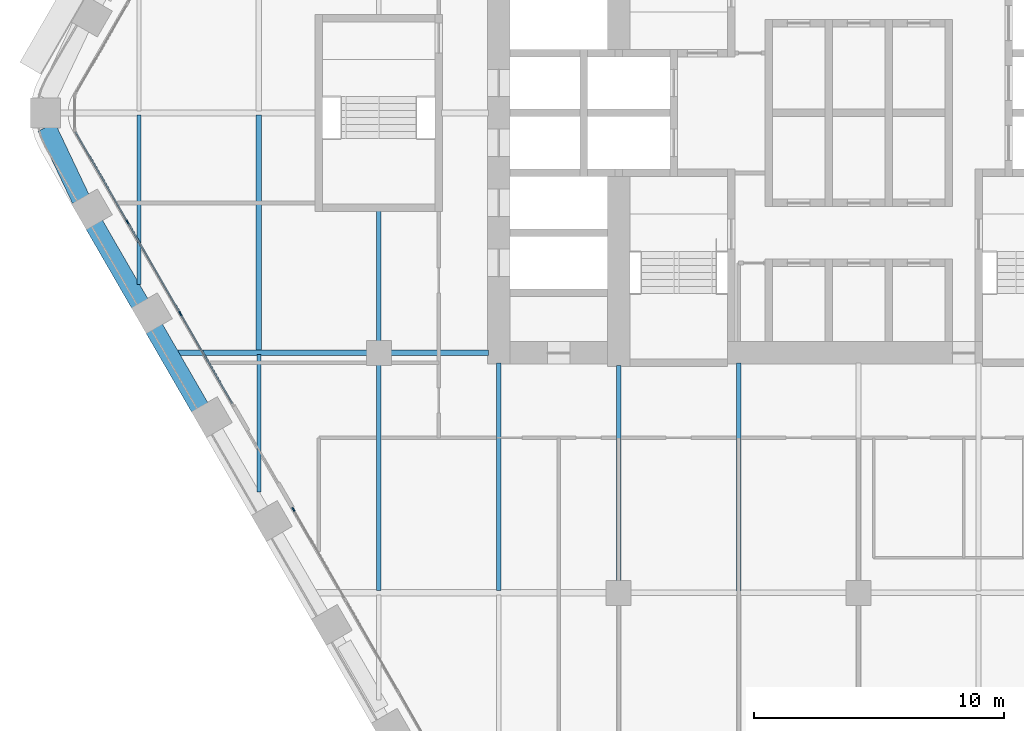
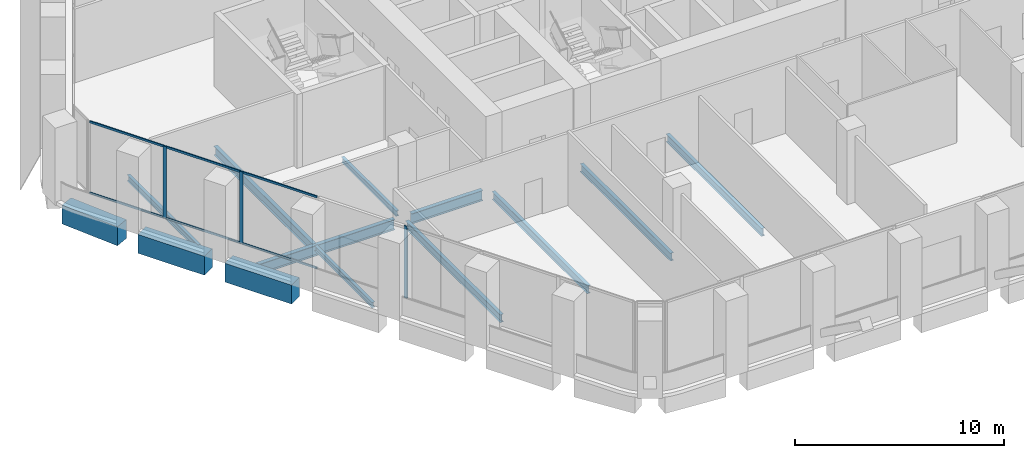
# One storey, part 3 of 24: 13 beams, 9 members, 2 elements without a shape of their own.
"""IFC4 building model written with IfcOpenShell, lengths in metres."""

from ifc_helpers import new_model, si_unit, direction, frame, origin, origin_2d, place, context, subcontext, project, spatial, rectangle, i_section, extrude, material, material_profile, profile_set, type_object, element, aggregate, save


model = new_model("IFC4")

# Units and contexts
model_context = context("Model", 3, precision=1e-05, world=origin(), true_north=direction((0.0, 1.0)))
body_context = subcontext(model_context, "Body", "Model", "MODEL_VIEW")
ifc_project = project(units=[si_unit("LENGTHUNIT", "METRE"), si_unit("AREAUNIT", "SQUARE_METRE"), si_unit("VOLUMEUNIT", "CUBIC_METRE"), si_unit("PLANEANGLEUNIT", "RADIAN"), si_unit("MASSUNIT", "GRAM", prefix="KILO")], contexts=[model_context])

# Site, building, storey
site_placement = place(None, origin())
site = spatial("IfcSite", under=ifc_project, at=site_placement, CompositionType="ELEMENT")
building_placement = place(site_placement, origin())
building = spatial("IfcBuilding", under=site, at=building_placement, Name="Kolab Exchange Tower", CompositionType="ELEMENT")
storey_placement = place(building_placement, frame((0.0, 0.0, 86.89990234375)))
storey = spatial("IfcBuildingStorey", under=building, at=storey_placement, Name="L16", CompositionType="ELEMENT", Elevation=86.89990234375)

# Beams
ifc_material_1 = material(Name="Steel S355", Category="steel")
ifc_material_profile_1 = material_profile(ifc_material_1, i_section(OverallWidth=0.1650390625, OverallDepth=0.31005859375, WebThickness=0.005859375, FlangeThickness=0.009765625, at=origin_2d()), Name="W310X39")
ifc_profile_set_1 = profile_set([ifc_material_profile_1], Name="Steel S355")
beam_type_1 = type_object("IfcBeamType", Name="FLOOR BEAM W310X39", PredefinedType="BEAM", material=ifc_profile_set_1)
beam_1_placement = place(storey_placement, frame((-24.0, -15.167724609375, -0.35498046875), z_axis=(0.0, 1.0, 0.0), x_axis=(-1.0, 0.0, 0.0)))
element("IfcBeam", 1, at=beam_1_placement, inside=storey, type_object=beam_type_1, Name="beam/L16/fr/002", PredefinedType="BEAM", context=body_context, shape_type="SweptSolid", body=[
    extrude(i_section(OverallWidth=0.1650390625, OverallDepth=0.31005859375, WebThickness=0.005859375, FlangeThickness=0.009765625, at=origin_2d()), origin(), (0.0, 0.0, 1.0), 5.49365234375),
])
beam_2_placement = place(storey_placement, frame((-19.199951171875, -9.139892578125, -0.35498046875), z_axis=(0.0, 1.0, 0.0), x_axis=(-1.0, 0.0, 0.0)))
element("IfcBeam", 2, at=beam_2_placement, inside=storey, type_object=beam_type_1, Name="beam/L16/fr/008", PredefinedType="BEAM", context=body_context, shape_type="SweptSolid", body=[
    extrude(i_section(OverallWidth=0.1650390625, OverallDepth=0.31005859375, WebThickness=0.005859375, FlangeThickness=0.009765625, at=origin_2d()), origin(), (0.0, 0.0, 1.0), 5.22998046875),
])
ifc_material_profile_2 = material_profile(ifc_material_1, i_section(OverallWidth=0.1708984375, OverallDepth=0.35498046875, WebThickness=0.007080078125, FlangeThickness=0.01171875, at=origin_2d()), Name="W360X51")
ifc_profile_set_2 = profile_set([ifc_material_profile_2], Name="Steel S355")
beam_type_2 = type_object("IfcBeamType", Name="FLOOR BEAM W360X51", PredefinedType="BEAM", material=ifc_profile_set_2)
beam_3_placement = place(storey_placement, frame((-28.800048828125, -6.853759765625, -0.37744140625), z_axis=(0.0, 1.0, 0.0), x_axis=(-1.0, 0.0, 0.0)))
element("IfcBeam", 3, at=beam_3_placement, inside=storey, type_object=beam_type_2, Name="beam/L16/fr/000", PredefinedType="BEAM", context=body_context, shape_type="SweptSolid", body=[
    extrude(i_section(OverallWidth=0.1708984375, OverallDepth=0.35498046875, WebThickness=0.007080078125, FlangeThickness=0.01171875, at=origin_2d()), origin(), (0.0, 0.0, 1.0), 6.766845703125),
])
ifc_material_profile_3 = material_profile(ifc_material_1, i_section(OverallWidth=0.18994140625, OverallDepth=0.45703125, WebThickness=0.009033203125, FlangeThickness=0.014404296875, at=origin_2d()), Name="W460X74")
ifc_profile_set_3 = profile_set([ifc_material_profile_3], Name="Steel S355")
beam_type_3 = type_object("IfcBeamType", Name="FLOOR BEAM W460X74", PredefinedType="BEAM", material=ifc_profile_set_3)
beam_4_placement = place(storey_placement, frame((-19.199951171875, -19.1064453125, -0.428466796875), z_axis=(0.0, 1.0, 0.0), x_axis=(-1.0, 0.0, 0.0)))
element("IfcBeam", 4, at=beam_4_placement, inside=storey, type_object=beam_type_3, Name="beam/L16/fr/007", PredefinedType="BEAM", context=body_context, shape_type="SweptSolid", body=[
    extrude(i_section(OverallWidth=0.18994140625, OverallDepth=0.45703125, WebThickness=0.009033203125, FlangeThickness=0.014404296875, at=origin_2d()), origin(), (0.0, 0.0, 1.0), 9.04638671875),
])
beam_5_placement = place(storey_placement, frame((-14.39990234375, -19.1064453125, -0.428466796875), z_axis=(0.0, 1.0, 0.0), x_axis=(-1.0, 0.0, 0.0)))
element("IfcBeam", 5, at=beam_5_placement, inside=storey, type_object=beam_type_3, Name="beam/L16/fr/013", PredefinedType="BEAM", context=body_context, shape_type="SweptSolid", body=[
    extrude(i_section(OverallWidth=0.18994140625, OverallDepth=0.45703125, WebThickness=0.009033203125, FlangeThickness=0.014404296875, at=origin_2d()), origin(), (0.0, 0.0, 1.0), 9.096435546875),
])
beam_6_placement = place(storey_placement, frame((-9.60009765625, -18.739990234375, -0.428466796875), z_axis=(0.0, 1.0, 0.0), x_axis=(-1.0, 0.0, 0.0)))
element("IfcBeam", 6, at=beam_6_placement, inside=storey, type_object=beam_type_3, Name="beam/L16/fr/017", PredefinedType="BEAM", context=body_context, shape_type="SweptSolid", body=[
    extrude(i_section(OverallWidth=0.18994140625, OverallDepth=0.45703125, WebThickness=0.009033203125, FlangeThickness=0.014404296875, at=origin_2d()), origin(), (0.0, 0.0, 1.0), 8.6298828125),
])
beam_7_placement = place(storey_placement, frame((-4.800048828125, -19.1259765625, -0.428466796875), z_axis=(0.0, 1.0, 0.0), x_axis=(-1.0, 0.0, 0.0)))
element("IfcBeam", 7, at=beam_7_placement, inside=storey, type_object=beam_type_3, Name="beam/L16/fr/021", PredefinedType="BEAM", context=body_context, shape_type="SweptSolid", body=[
    extrude(i_section(OverallWidth=0.18994140625, OverallDepth=0.45703125, WebThickness=0.009033203125, FlangeThickness=0.014404296875, at=origin_2d()), origin(), (0.0, 0.0, 1.0), 9.115966796875),
])
ifc_material_profile_4 = material_profile(ifc_material_1, i_section(OverallWidth=0.208984375, OverallDepth=0.532958984375, WebThickness=0.01025390625, FlangeThickness=0.015625, at=origin_2d()), Name="W530X92")
ifc_profile_set_4 = profile_set([ifc_material_profile_4], Name="Steel S355")
beam_type_4 = type_object("IfcBeamType", Name="FLOOR BEAM W530X92", PredefinedType="BEAM", material=ifc_profile_set_4)
beam_8_placement = place(storey_placement, frame((-24.0, -9.52587890625, -0.46630859375), z_axis=(0.0, 1.0, 0.0), x_axis=(-1.0, 0.0, 0.0)))
element("IfcBeam", 8, at=beam_8_placement, inside=storey, type_object=beam_type_4, Name="beam/L16/fr/003", PredefinedType="BEAM", context=body_context, shape_type="SweptSolid", body=[
    extrude(i_section(OverallWidth=0.208984375, OverallDepth=0.532958984375, WebThickness=0.01025390625, FlangeThickness=0.015625, at=origin_2d()), origin(), (0.0, 0.0, 1.0), 9.43896484375),
])
ifc_material_profile_5 = material_profile(ifc_material_1, i_section(OverallWidth=0.22802734375, OverallDepth=0.60791015625, WebThickness=0.01123046875, FlangeThickness=0.017333984375, at=origin_2d()), Name="W610X113")
ifc_profile_set_5 = profile_set([ifc_material_profile_5], Name="Steel S355")
beam_type_5 = type_object("IfcBeamType", Name="FLOOR GIRDER W610X113", PredefinedType="BEAM", material=ifc_profile_set_5)
beam_9_placement = place(storey_placement, frame((-27.2314453125, -9.60009765625, -0.50390625), z_axis=(1.0, 0.0, 0.0), x_axis=(0.0, 1.0, 0.0)))
element("IfcBeam", 9, at=beam_9_placement, inside=storey, type_object=beam_type_5, Name="beam/L16/gd/001", PredefinedType="BEAM", context=body_context, shape_type="SweptSolid", body=[
    extrude(i_section(OverallWidth=0.22802734375, OverallDepth=0.60791015625, WebThickness=0.01123046875, FlangeThickness=0.017333984375, at=origin_2d()), origin(), (0.0, 0.0, 1.0), 7.571533203125),
])
beam_10_placement = place(storey_placement, frame((-18.739990234375, -9.60009765625, -0.50390625), z_axis=(1.0, 0.0, 0.0), x_axis=(0.0, 1.0, 0.0)))
element("IfcBeam", 10, at=beam_10_placement, inside=storey, type_object=beam_type_5, Name="beam/L16/gd/005", PredefinedType="BEAM", context=body_context, shape_type="SweptSolid", body=[
    extrude(i_section(OverallWidth=0.22802734375, OverallDepth=0.60791015625, WebThickness=0.01123046875, FlangeThickness=0.017333984375, at=origin_2d()), origin(), (0.0, 0.0, 1.0), 3.929931640625),
])
ifc_material_2 = material(Name="Concrete C70/85", Category="concrete")
ifc_material_profile_6 = material_profile(ifc_material_2, rectangle(XDim=0.75, YDim=1.10009765625, at=origin_2d()), Name="RC750X1100")
ifc_profile_set_6 = profile_set([ifc_material_profile_6], Name="Concrete C70/85")
beam_type_6 = type_object("IfcBeamType", Name="SPANDREL BEAM 750X1100 C70/85", PredefinedType="BEAM", material=ifc_profile_set_6)
for number, where, z_axis, x_axis, name in (
    (11, (-26.355224609375, -11.79833984375, -0.75), (-0.500013413428, 0.866017659399, 0.0), (-0.866017659399, -0.500013413428, 0.0), "beam/L16/sp/F5-05"),
    (12, (-28.755126953125, -7.641357421875, -0.75), (-0.500013413428, 0.866017659399, 0.0), (-0.866017659399, -0.500013413428, 0.0), "beam/L16/sp/F5-06"),
):
    element("IfcBeam", number, at=place(storey_placement, frame(where, z_axis=z_axis, x_axis=x_axis)), inside=storey, type_object=beam_type_6, Name=name, PredefinedType="BEAM", context=body_context, shape_type="SweptSolid", body=[
        extrude(rectangle(XDim=0.75, YDim=1.10009765625, at=origin_2d()), origin(), (0.0, 0.0, 1.0), 3.68017578125),
    ])
beam_11_placement = place(storey_placement, frame((-31.116455078125, -3.4619140625, -0.75), z_axis=(-0.429041292193, 0.903284877319, 0.0), x_axis=(-0.903284877319, -0.429041292193, 0.0)))
element("IfcBeam", 13, at=beam_11_placement, inside=storey, type_object=beam_type_6, Name="beam/L16/sp/F5-07", PredefinedType="BEAM", context=body_context, shape_type="SweptSolid", body=[
    extrude(rectangle(XDim=0.75, YDim=1.10009765625, at=origin_2d()), origin(), (0.0, 0.0, 1.0), 3.208251953125),
])

# Curtain wall, member
ifc_material_3 = material(Name="Aluminium EN AW-6063 T6", Category="aluminium")
curtain_wall_type = type_object("IfcCurtainWallType", Name="UNITISED LOWER MID ZONE CURTAIN WALL", PredefinedType="NOTDEFINED", material=ifc_material_3)
curtain_wall_1_placement = place(storey_placement, origin())
curtain_wall_1 = element("IfcCurtainWall", 14, at=curtain_wall_1_placement, inside=storey, type_object=curtain_wall_type, Name="cw/L16/F5-1", PredefinedType="NOTDEFINED")
ifc_material_profile_7 = material_profile(ifc_material_3, rectangle(XDim=0.06005859375, YDim=0.179931640625, at=origin_2d()), Name="RECT 60X180")
ifc_profile_set_7 = profile_set([ifc_material_profile_7], Name="Aluminium EN AW-6063 T6")
member_type_1 = type_object("IfcMemberType", Name="UNITISED LOWER MID ZONE MULLION 60 X 180", PredefinedType="MULLION", material=ifc_profile_set_7)
member_1_placement = place(storey_placement, frame((-22.61669921875, -15.86376953125, 0.0), z_axis=(0.0, 0.0, 1.0), x_axis=(-0.866025393644, -0.500000017564, 0.0)))
member_1 = element("IfcMember", 15, at=member_1_placement, type_object=member_type_1, Name="CW2 mullion 4", PredefinedType="MULLION", context=body_context, shape_type="SweptSolid", body=[
    extrude(rectangle(XDim=0.06005859375, YDim=0.179931640625, at=origin_2d()), origin(), (0.0, 0.0, 1.0), 4.2001953125),
])
aggregate(curtain_wall_1, [member_1])

# Curtain wall, members
curtain_wall_2_placement = place(storey_placement, origin())
curtain_wall_2 = element("IfcCurtainWall", 16, at=curtain_wall_2_placement, inside=storey, type_object=curtain_wall_type, Name="cw/L16/F5-2", PredefinedType="NOTDEFINED")
member_2_placement = place(storey_placement, frame((-27.14306640625, -8.02392578125, 0.0), z_axis=(0.0, 0.0, 1.0), x_axis=(-0.866025427826, -0.499999958358, 0.0)))
member_2 = element("IfcMember", 17, at=member_2_placement, type_object=member_type_1, Name="CW2 mullion 2", PredefinedType="MULLION", context=body_context, shape_type="SweptSolid", body=[
    extrude(rectangle(XDim=0.06005859375, YDim=0.179931640625, at=origin_2d()), origin(), (0.0, 0.0, 1.0), 4.2001953125),
])
member_3_placement = place(storey_placement, frame((-29.25439453125, -4.366943359375, 0.0), z_axis=(0.0, 0.0, 1.0), x_axis=(-0.866025427826, -0.499999958358, 0.0)))
member_3 = element("IfcMember", 18, at=member_3_placement, type_object=member_type_1, Name="CW2 mullion 3", PredefinedType="MULLION", context=body_context, shape_type="SweptSolid", body=[
    extrude(rectangle(XDim=0.06005859375, YDim=0.179931640625, at=origin_2d()), origin(), (0.0, 0.0, 1.0), 4.2001953125),
])
ifc_material_profile_8 = material_profile(ifc_material_3, rectangle(XDim=0.06005859375, YDim=0.1201171875, at=origin_2d()), Name="RECT 60X120")
ifc_profile_set_8 = profile_set([ifc_material_profile_8], Name="Aluminium EN AW-6063 T6")
member_type_2 = type_object("IfcMemberType", Name="UNITISED LOWER MID ZONE TRANSOM 60 X 120", PredefinedType="USERDEFINED", material=ifc_profile_set_8)
member_4_placement = place(storey_placement, frame((-25.061767578125, -11.62890625, 0.030029296875), z_axis=(-0.499957688808, 0.866049830784, 0.0), x_axis=(-0.866049830784, -0.499957688808, 0.0)))
member_4 = element("IfcMember", 19, at=member_4_placement, type_object=member_type_2, Name="CW2 transom 1.1", ObjectType="TRANSOM", PredefinedType="USERDEFINED", context=body_context, shape_type="SweptSolid", body=[
    extrude(rectangle(XDim=0.06005859375, YDim=0.1201171875, at=origin_2d()), origin(), (0.0, 0.0, 1.0), 4.132568359375),
])
member_5_placement = place(storey_placement, frame((-25.061767578125, -11.62890625, 4.170166015625), z_axis=(-0.499957688808, 0.866049830784, 0.0), x_axis=(-0.866049830784, -0.499957688808, 0.0)))
member_5 = element("IfcMember", 20, at=member_5_placement, type_object=member_type_2, Name="CW2 transom 1.2", ObjectType="TRANSOM", PredefinedType="USERDEFINED", context=body_context, shape_type="SweptSolid", body=[
    extrude(rectangle(XDim=0.06005859375, YDim=0.1201171875, at=origin_2d()), origin(), (0.0, 0.0, 1.0), 4.132568359375),
])
member_6_placement = place(storey_placement, frame((-27.157958984375, -7.997802734375, 0.030029296875), z_axis=(-0.49999322259, 0.866029316688, 0.0), x_axis=(-0.866029316688, -0.49999322259, 0.0)))
member_6 = element("IfcMember", 21, at=member_6_placement, type_object=member_type_2, Name="CW2 transom 2.1", ObjectType="TRANSOM", PredefinedType="USERDEFINED", context=body_context, shape_type="SweptSolid", body=[
    extrude(rectangle(XDim=0.06005859375, YDim=0.1201171875, at=origin_2d()), origin(), (0.0, 0.0, 1.0), 4.16259765625),
])
member_7_placement = place(storey_placement, frame((-27.157958984375, -7.997802734375, 4.170166015625), z_axis=(-0.49999322259, 0.866029316688, 0.0), x_axis=(-0.866029316688, -0.49999322259, 0.0)))
member_7 = element("IfcMember", 22, at=member_7_placement, type_object=member_type_2, Name="CW2 transom 2.2", ObjectType="TRANSOM", PredefinedType="USERDEFINED", context=body_context, shape_type="SweptSolid", body=[
    extrude(rectangle(XDim=0.06005859375, YDim=0.1201171875, at=origin_2d()), origin(), (0.0, 0.0, 1.0), 4.16259765625),
])
member_8_placement = place(storey_placement, frame((-29.269287109375, -4.3408203125, 0.030029296875), z_axis=(-0.500027577057, 0.866009481578, 0.0), x_axis=(-0.866009481578, -0.500027577057, 0.0)))
member_8 = element("IfcMember", 23, at=member_8_placement, type_object=member_type_2, Name="CW2 transom 3.1", ObjectType="TRANSOM", PredefinedType="USERDEFINED", context=body_context, shape_type="SweptSolid", body=[
    extrude(rectangle(XDim=0.06005859375, YDim=0.1201171875, at=origin_2d()), origin(), (0.0, 0.0, 1.0), 4.132568359375),
])
member_9_placement = place(storey_placement, frame((-29.269287109375, -4.3408203125, 4.170166015625), z_axis=(-0.500027577057, 0.866009481578, 0.0), x_axis=(-0.866009481578, -0.500027577057, 0.0)))
member_9 = element("IfcMember", 24, at=member_9_placement, type_object=member_type_2, Name="CW2 transom 3.2", ObjectType="TRANSOM", PredefinedType="USERDEFINED", context=body_context, shape_type="SweptSolid", body=[
    extrude(rectangle(XDim=0.06005859375, YDim=0.1201171875, at=origin_2d()), origin(), (0.0, 0.0, 1.0), 4.132568359375),
])
aggregate(curtain_wall_2, [member_2, member_3, member_4, member_5, member_6, member_7, member_8, member_9])

save(model, "model.ifc")
